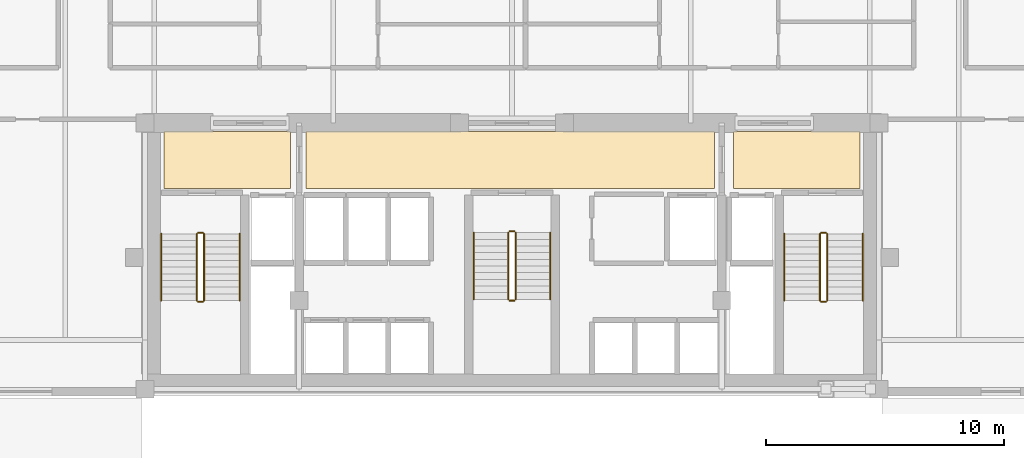
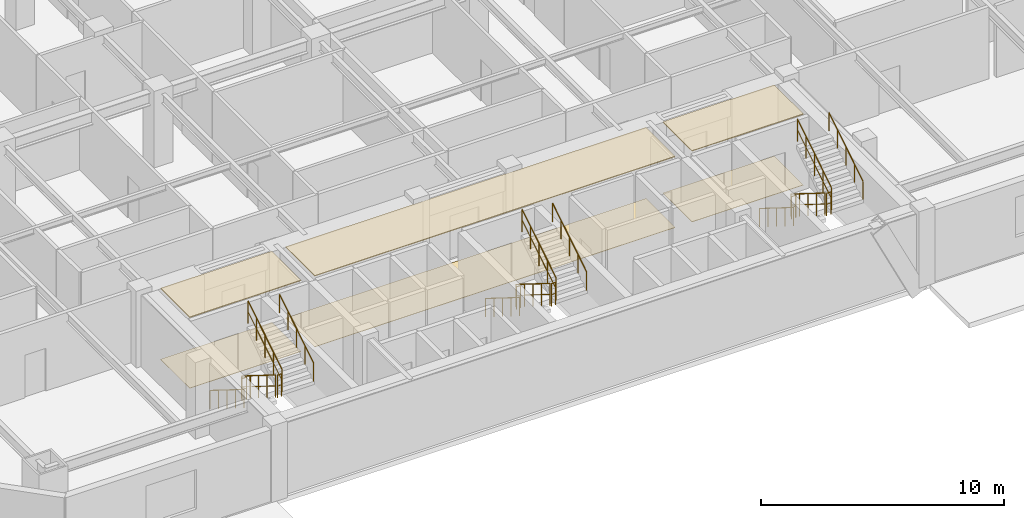
# One storey, part 11 of 11: 18 railings, 6 coverings.
"""IFC4 building model written with IfcOpenShell, lengths in metres."""

from ifc_helpers import new_model, si_unit, direction, frame, origin, origin_2d, place, context, subcontext, project, spatial, polyline, circle, outline, extrude, material, layer, layer_set, type_object, element, save


model = new_model("IFC4")

# Units and contexts
model_context = context("Model", 3, precision=1e-05, world=origin(), true_north=direction((0.0, 1.0)))
body_context = subcontext(model_context, "Body", "Model", "MODEL_VIEW")
ifc_project = project(units=[si_unit("LENGTHUNIT", "METRE"), si_unit("AREAUNIT", "SQUARE_METRE"), si_unit("VOLUMEUNIT", "CUBIC_METRE"), si_unit("PLANEANGLEUNIT", "RADIAN"), si_unit("MASSUNIT", "GRAM", prefix="KILO")], contexts=[model_context])

# Site, building, storey
site_placement = place(None, origin())
site = spatial("IfcSite", under=ifc_project, at=site_placement, CompositionType="ELEMENT")
building_placement = place(site_placement, origin())
building = spatial("IfcBuilding", under=site, at=building_placement, Name="Ventersveld Concourse Tower", CompositionType="ELEMENT")
storey_placement = place(building_placement, frame((0.0, 0.0, 29.800048828125)))
storey = spatial("IfcBuildingStorey", under=building, at=storey_placement, Name="L06", CompositionType="ELEMENT", Elevation=29.800048828125)

# Coverings
ifc_material_1 = material(Name="Mineral-fibre acoustic ceiling tile", Category="gypsum")
ifc_layer_1 = layer(ifc_material_1, 0.0400390625)
ifc_layer_set_1 = layer_set([ifc_layer_1], Name="Mineral-fibre acoustic ceiling tile")
covering_type_1 = type_object("IfcCoveringType", Name="COV-CEIL-ACOUSTIC", PredefinedType="CEILING", material=ifc_layer_set_1)
covering_1_placement = place(storey_placement, frame((0.0, 0.0, 3.56005859375)))
element("IfcCovering", 1, at=covering_1_placement, inside=storey, type_object=covering_type_1, Name="L06 North Lift Lobby Acoustic Ceiling", PredefinedType="CEILING", context=body_context, shape_type="SweptSolid", body=[
    extrude(outline(polyline([(20.10009765625, 8.699951171875), (37.25, 8.699951171875), (37.25, 11.10009765625), (20.10009765625, 11.10009765625), (20.10009765625, 8.699951171875)])), origin(), (0.0, 0.0, 1.0), 0.039794921875),
])
covering_2_placement = place(storey_placement, frame((0.0, 0.0, 3.56005859375)))
element("IfcCovering", 2, at=covering_2_placement, inside=storey, type_object=covering_type_1, Name="L06 West Firefighting Lobby Acoustic Ceiling", PredefinedType="CEILING", context=body_context, shape_type="SweptSolid", body=[
    extrude(outline(polyline([(14.14990234375, 8.699951171875), (19.449951171875, 8.699951171875), (19.449951171875, 11.10009765625), (14.14990234375, 11.10009765625), (14.14990234375, 8.699951171875)])), origin(), (0.0, 0.0, 1.0), 0.039794921875),
])
covering_3_placement = place(storey_placement, frame((0.0, 0.0, 3.56005859375)))
element("IfcCovering", 3, at=covering_3_placement, inside=storey, type_object=covering_type_1, Name="L06 East Firefighting Lobby Acoustic Ceiling", PredefinedType="CEILING", context=body_context, shape_type="SweptSolid", body=[
    extrude(outline(polyline([(38.050048828125, 8.699951171875), (43.35009765625, 8.699951171875), (43.35009765625, 11.10009765625), (38.050048828125, 11.10009765625), (38.050048828125, 8.699951171875)])), origin(), (0.0, 0.0, 1.0), 0.039794921875),
])
ifc_material_2 = material(Name="Polished Highveld granite terrazzo", Category="masonry")
ifc_layer_2 = layer(ifc_material_2, 0.02001953125)
ifc_layer_set_2 = layer_set([ifc_layer_2], Name="Polished Highveld granite terrazzo")
covering_type_2 = type_object("IfcCoveringType", Name="COV-FLOOR-TERRAZZO", PredefinedType="FLOORING", material=ifc_layer_set_2)
covering_4_placement = place(storey_placement, origin())
element("IfcCovering", 4, at=covering_4_placement, inside=storey, type_object=covering_type_2, Name="L06 North Lift Lobby Terrazzo Flooring", PredefinedType="FLOORING", context=body_context, shape_type="SweptSolid", body=[
    extrude(outline(polyline([(20.10009765625, 8.699951171875), (37.25, 8.699951171875), (37.25, 11.10009765625), (20.10009765625, 11.10009765625), (20.10009765625, 8.699951171875)])), origin(), (0.0, 0.0, 1.0), 0.02001953125),
])
covering_5_placement = place(storey_placement, origin())
element("IfcCovering", 5, at=covering_5_placement, inside=storey, type_object=covering_type_2, Name="L06 West Firefighting Lobby Terrazzo Flooring", PredefinedType="FLOORING", context=body_context, shape_type="SweptSolid", body=[
    extrude(outline(polyline([(14.14990234375, 8.699951171875), (19.449951171875, 8.699951171875), (19.449951171875, 11.10009765625), (14.14990234375, 11.10009765625), (14.14990234375, 8.699951171875)])), origin(), (0.0, 0.0, 1.0), 0.02001953125),
])
covering_6_placement = place(storey_placement, origin())
element("IfcCovering", 6, at=covering_6_placement, inside=storey, type_object=covering_type_2, Name="L06 East Firefighting Lobby Terrazzo Flooring", PredefinedType="FLOORING", context=body_context, shape_type="SweptSolid", body=[
    extrude(outline(polyline([(38.050048828125, 8.699951171875), (43.35009765625, 8.699951171875), (43.35009765625, 11.10009765625), (38.050048828125, 11.10009765625), (38.050048828125, 8.699951171875)])), origin(), (0.0, 0.0, 1.0), 0.02001953125),
])

# Railings
ifc_material_3 = material(Name="Brushed stainless steel 316", Category="steel")
railing_type_1 = type_object("IfcRailingType", Name="GD-BAL-115", PredefinedType="GUARDRAIL", material=ifc_material_3)
railing_1_placement = place(storey_placement, frame((15.530029296875, 6.800048828125, 0.175048828125)))
element("IfcRailing", 7, at=railing_1_placement, inside=storey, type_object=railing_type_1, Name="L06 ST-01 stair guard 1", PredefinedType="GUARDRAIL", context=body_context, shape_type="SweptSolid", body=[
    extrude(circle(Radius=0.02392578125, at=origin_2d()), frame((0.0, 0.0, 1.1259765625), z_axis=(0.0, -0.848002457836, 0.529992293815), x_axis=(1.0, 0.0, 0.0)), (0.0, 0.0, 1.0), 3.302001953125),
    extrude(circle(Radius=0.01611328125, at=origin_2d()), frame((0.0, 0.0, 0.574951171875), z_axis=(0.0, -0.848002457836, 0.529992293815), x_axis=(1.0, 0.0, 0.0)), (0.0, 0.0, 1.0), 3.302001953125),
    extrude(circle(Radius=0.02099609375, at=origin_2d()), origin(), (0.0, 0.0, 1.0), 1.101806640625),
    extrude(circle(Radius=0.02099609375, at=origin_2d()), frame((0.0, -0.699951171875, 0.4375)), (0.0, 0.0, 1.0), 1.101806640625),
    extrude(circle(Radius=0.02099609375, at=origin_2d()), frame((0.0, -1.39990234375, 0.875)), (0.0, 0.0, 1.0), 1.101806640625),
    extrude(circle(Radius=0.02099609375, at=origin_2d()), frame((0.0, -2.10009765625, 1.3125)), (0.0, 0.0, 1.0), 1.101806640625),
    extrude(circle(Radius=0.02099609375, at=origin_2d()), frame((0.0, -2.800048828125, 1.75)), (0.0, 0.0, 1.0), 1.101806640625),
])
railing_2_placement = place(storey_placement, frame((15.580078125, 3.949951171875, 1.925048828125)))
element("IfcRailing", 8, at=railing_2_placement, inside=storey, type_object=railing_type_1, Name="L06 ST-01 stair guard 2", PredefinedType="GUARDRAIL", context=body_context, shape_type="SweptSolid", body=[
    extrude(circle(Radius=0.02392578125, at=origin_2d()), frame((0.0, 0.0, 1.1259765625), z_axis=(1.0, 0.0, 0.0), x_axis=(0.0, 1.0, 0.0)), (0.0, 0.0, 1.0), 0.199951171875),
    extrude(circle(Radius=0.01611328125, at=origin_2d()), frame((0.0, 0.0, 0.574951171875), z_axis=(1.0, 0.0, 0.0), x_axis=(0.0, 1.0, 0.0)), (0.0, 0.0, 1.0), 0.199951171875),
    extrude(circle(Radius=0.02099609375, at=origin_2d()), origin(), (0.0, 0.0, 1.0), 1.101806640625),
    extrude(circle(Radius=0.02099609375, at=origin_2d()), frame((0.199951171875, 0.0, 0.0)), (0.0, 0.0, 1.0), 1.101806640625),
])
railing_3_placement = place(storey_placement, frame((15.830078125, 4.0, 2.099853515625)))
element("IfcRailing", 9, at=railing_3_placement, inside=storey, type_object=railing_type_1, Name="L06 ST-01 stair guard 3", PredefinedType="GUARDRAIL", context=body_context, shape_type="SweptSolid", body=[
    extrude(circle(Radius=0.02392578125, at=origin_2d()), frame((0.0, 0.0, 1.1259765625), z_axis=(0.0, 0.848002457836, 0.529992293815), x_axis=(-1.0, 0.0, 0.0)), (0.0, 0.0, 1.0), 3.302001953125),
    extrude(circle(Radius=0.01611328125, at=origin_2d()), frame((0.0, 0.0, 0.574951171875), z_axis=(0.0, 0.848002457836, 0.529992293815), x_axis=(-1.0, 0.0, 0.0)), (0.0, 0.0, 1.0), 3.302001953125),
    extrude(circle(Radius=0.02099609375, at=origin_2d()), origin(), (0.0, 0.0, 1.0), 1.101806640625),
    extrude(circle(Radius=0.02099609375, at=origin_2d()), frame((0.0, 0.699951171875, 0.4375)), (0.0, 0.0, 1.0), 1.101806640625),
    extrude(circle(Radius=0.02099609375, at=origin_2d()), frame((0.0, 1.39990234375, 0.875)), (0.0, 0.0, 1.0), 1.101806640625),
    extrude(circle(Radius=0.02099609375, at=origin_2d()), frame((0.0, 2.10009765625, 1.3125)), (0.0, 0.0, 1.0), 1.101806640625),
    extrude(circle(Radius=0.02099609375, at=origin_2d()), frame((0.0, 2.800048828125, 1.75)), (0.0, 0.0, 1.0), 1.101806640625),
])
railing_4_placement = place(storey_placement, frame((15.580078125, 6.85009765625, 0.0)))
element("IfcRailing", 10, at=railing_4_placement, inside=storey, type_object=railing_type_1, Name="L06 ST-01 stair guard 4", PredefinedType="GUARDRAIL", context=body_context, shape_type="SweptSolid", body=[
    extrude(circle(Radius=0.02392578125, at=origin_2d()), frame((0.0, 0.0, 1.1259765625), z_axis=(1.0, 0.0, 0.0), x_axis=(0.0, 1.0, 0.0)), (0.0, 0.0, 1.0), 0.199951171875),
    extrude(circle(Radius=0.01611328125, at=origin_2d()), frame((0.0, 0.0, 0.574951171875), z_axis=(1.0, 0.0, 0.0), x_axis=(0.0, 1.0, 0.0)), (0.0, 0.0, 1.0), 0.199951171875),
    extrude(circle(Radius=0.02099609375, at=origin_2d()), origin(), (0.0, 0.0, 1.0), 1.101806640625),
    extrude(circle(Radius=0.02099609375, at=origin_2d()), frame((0.199951171875, 0.0, 0.0)), (0.0, 0.0, 1.0), 1.101806640625),
])
railing_5_placement = place(storey_placement, frame((41.669921875, 6.800048828125, 0.175048828125)))
element("IfcRailing", 11, at=railing_5_placement, inside=storey, type_object=railing_type_1, Name="L06 ST-02 stair guard 1", PredefinedType="GUARDRAIL", context=body_context, shape_type="SweptSolid", body=[
    extrude(circle(Radius=0.02392578125, at=origin_2d()), frame((0.0, 0.0, 1.1259765625), z_axis=(0.0, -0.848002457836, 0.529992293815), x_axis=(1.0, 0.0, 0.0)), (0.0, 0.0, 1.0), 3.302001953125),
    extrude(circle(Radius=0.01611328125, at=origin_2d()), frame((0.0, 0.0, 0.574951171875), z_axis=(0.0, -0.848002457836, 0.529992293815), x_axis=(1.0, 0.0, 0.0)), (0.0, 0.0, 1.0), 3.302001953125),
    extrude(circle(Radius=0.02099609375, at=origin_2d()), origin(), (0.0, 0.0, 1.0), 1.101806640625),
    extrude(circle(Radius=0.02099609375, at=origin_2d()), frame((0.0, -0.699951171875, 0.4375)), (0.0, 0.0, 1.0), 1.101806640625),
    extrude(circle(Radius=0.02099609375, at=origin_2d()), frame((0.0, -1.39990234375, 0.875)), (0.0, 0.0, 1.0), 1.101806640625),
    extrude(circle(Radius=0.02099609375, at=origin_2d()), frame((0.0, -2.10009765625, 1.3125)), (0.0, 0.0, 1.0), 1.101806640625),
    extrude(circle(Radius=0.02099609375, at=origin_2d()), frame((0.0, -2.800048828125, 1.75)), (0.0, 0.0, 1.0), 1.101806640625),
])
railing_6_placement = place(storey_placement, frame((41.719970703125, 3.949951171875, 1.925048828125)))
element("IfcRailing", 12, at=railing_6_placement, inside=storey, type_object=railing_type_1, Name="L06 ST-02 stair guard 2", PredefinedType="GUARDRAIL", context=body_context, shape_type="SweptSolid", body=[
    extrude(circle(Radius=0.02392578125, at=origin_2d()), frame((0.0, 0.0, 1.1259765625), z_axis=(1.0, 0.0, 0.0), x_axis=(0.0, 1.0, 0.0)), (0.0, 0.0, 1.0), 0.199951171875),
    extrude(circle(Radius=0.01611328125, at=origin_2d()), frame((0.0, 0.0, 0.574951171875), z_axis=(1.0, 0.0, 0.0), x_axis=(0.0, 1.0, 0.0)), (0.0, 0.0, 1.0), 0.199951171875),
    extrude(circle(Radius=0.02099609375, at=origin_2d()), origin(), (0.0, 0.0, 1.0), 1.101806640625),
    extrude(circle(Radius=0.02099609375, at=origin_2d()), frame((0.199951171875, 0.0, 0.0)), (0.0, 0.0, 1.0), 1.101806640625),
])
railing_7_placement = place(storey_placement, frame((41.969970703125, 4.0, 2.099853515625)))
element("IfcRailing", 13, at=railing_7_placement, inside=storey, type_object=railing_type_1, Name="L06 ST-02 stair guard 3", PredefinedType="GUARDRAIL", context=body_context, shape_type="SweptSolid", body=[
    extrude(circle(Radius=0.02392578125, at=origin_2d()), frame((0.0, 0.0, 1.1259765625), z_axis=(0.0, 0.848002457836, 0.529992293815), x_axis=(-1.0, 0.0, 0.0)), (0.0, 0.0, 1.0), 3.302001953125),
    extrude(circle(Radius=0.01611328125, at=origin_2d()), frame((0.0, 0.0, 0.574951171875), z_axis=(0.0, 0.848002457836, 0.529992293815), x_axis=(-1.0, 0.0, 0.0)), (0.0, 0.0, 1.0), 3.302001953125),
    extrude(circle(Radius=0.02099609375, at=origin_2d()), origin(), (0.0, 0.0, 1.0), 1.101806640625),
    extrude(circle(Radius=0.02099609375, at=origin_2d()), frame((0.0, 0.699951171875, 0.4375)), (0.0, 0.0, 1.0), 1.101806640625),
    extrude(circle(Radius=0.02099609375, at=origin_2d()), frame((0.0, 1.39990234375, 0.875)), (0.0, 0.0, 1.0), 1.101806640625),
    extrude(circle(Radius=0.02099609375, at=origin_2d()), frame((0.0, 2.10009765625, 1.3125)), (0.0, 0.0, 1.0), 1.101806640625),
    extrude(circle(Radius=0.02099609375, at=origin_2d()), frame((0.0, 2.800048828125, 1.75)), (0.0, 0.0, 1.0), 1.101806640625),
])
railing_8_placement = place(storey_placement, frame((41.719970703125, 6.85009765625, 0.0)))
element("IfcRailing", 14, at=railing_8_placement, inside=storey, type_object=railing_type_1, Name="L06 ST-02 stair guard 4", PredefinedType="GUARDRAIL", context=body_context, shape_type="SweptSolid", body=[
    extrude(circle(Radius=0.02392578125, at=origin_2d()), frame((0.0, 0.0, 1.1259765625), z_axis=(1.0, 0.0, 0.0), x_axis=(0.0, 1.0, 0.0)), (0.0, 0.0, 1.0), 0.199951171875),
    extrude(circle(Radius=0.01611328125, at=origin_2d()), frame((0.0, 0.0, 0.574951171875), z_axis=(1.0, 0.0, 0.0), x_axis=(0.0, 1.0, 0.0)), (0.0, 0.0, 1.0), 0.199951171875),
    extrude(circle(Radius=0.02099609375, at=origin_2d()), origin(), (0.0, 0.0, 1.0), 1.101806640625),
    extrude(circle(Radius=0.02099609375, at=origin_2d()), frame((0.199951171875, 0.0, 0.0)), (0.0, 0.0, 1.0), 1.101806640625),
])
railing_9_placement = place(storey_placement, frame((28.60009765625, 6.85009765625, 0.175048828125)))
element("IfcRailing", 15, at=railing_9_placement, inside=storey, type_object=railing_type_1, Name="L06 ST-03 stair guard 1", PredefinedType="GUARDRAIL", context=body_context, shape_type="SweptSolid", body=[
    extrude(circle(Radius=0.02392578125, at=origin_2d()), frame((0.0, 0.0, 1.1259765625), z_axis=(0.0, -0.848002457836, 0.529992293815), x_axis=(1.0, 0.0, 0.0)), (0.0, 0.0, 1.0), 3.302001953125),
    extrude(circle(Radius=0.01611328125, at=origin_2d()), frame((0.0, 0.0, 0.574951171875), z_axis=(0.0, -0.848002457836, 0.529992293815), x_axis=(1.0, 0.0, 0.0)), (0.0, 0.0, 1.0), 3.302001953125),
    extrude(circle(Radius=0.02099609375, at=origin_2d()), origin(), (0.0, 0.0, 1.0), 1.101806640625),
    extrude(circle(Radius=0.02099609375, at=origin_2d()), frame((0.0, -0.699951171875, 0.4375)), (0.0, 0.0, 1.0), 1.101806640625),
    extrude(circle(Radius=0.02099609375, at=origin_2d()), frame((0.0, -1.39990234375, 0.875)), (0.0, 0.0, 1.0), 1.101806640625),
    extrude(circle(Radius=0.02099609375, at=origin_2d()), frame((0.0, -2.10009765625, 1.3125)), (0.0, 0.0, 1.0), 1.101806640625),
    extrude(circle(Radius=0.02099609375, at=origin_2d()), frame((0.0, -2.800048828125, 1.75)), (0.0, 0.0, 1.0), 1.101806640625),
])
railing_10_placement = place(storey_placement, frame((28.64990234375, 4.0, 1.925048828125)))
element("IfcRailing", 16, at=railing_10_placement, inside=storey, type_object=railing_type_1, Name="L06 ST-03 stair guard 2", PredefinedType="GUARDRAIL", context=body_context, shape_type="SweptSolid", body=[
    extrude(circle(Radius=0.02392578125, at=origin_2d()), frame((0.0, 0.0, 1.1259765625), z_axis=(1.0, 0.0, 0.0), x_axis=(0.0, 1.0, 0.0)), (0.0, 0.0, 1.0), 0.2001953125),
    extrude(circle(Radius=0.01611328125, at=origin_2d()), frame((0.0, 0.0, 0.574951171875), z_axis=(1.0, 0.0, 0.0), x_axis=(0.0, 1.0, 0.0)), (0.0, 0.0, 1.0), 0.2001953125),
    extrude(circle(Radius=0.02099609375, at=origin_2d()), origin(), (0.0, 0.0, 1.0), 1.101806640625),
    extrude(circle(Radius=0.02099609375, at=origin_2d()), frame((0.2001953125, 0.0, 0.0)), (0.0, 0.0, 1.0), 1.101806640625),
])
railing_11_placement = place(storey_placement, frame((28.89990234375, 4.050048828125, 2.099853515625)))
element("IfcRailing", 17, at=railing_11_placement, inside=storey, type_object=railing_type_1, Name="L06 ST-03 stair guard 3", PredefinedType="GUARDRAIL", context=body_context, shape_type="SweptSolid", body=[
    extrude(circle(Radius=0.02392578125, at=origin_2d()), frame((0.0, 0.0, 1.1259765625), z_axis=(0.0, 0.848002457836, 0.529992293815), x_axis=(-1.0, 0.0, 0.0)), (0.0, 0.0, 1.0), 3.302001953125),
    extrude(circle(Radius=0.01611328125, at=origin_2d()), frame((0.0, 0.0, 0.574951171875), z_axis=(0.0, 0.848002457836, 0.529992293815), x_axis=(-1.0, 0.0, 0.0)), (0.0, 0.0, 1.0), 3.302001953125),
    extrude(circle(Radius=0.02099609375, at=origin_2d()), origin(), (0.0, 0.0, 1.0), 1.101806640625),
    extrude(circle(Radius=0.02099609375, at=origin_2d()), frame((0.0, 0.699951171875, 0.4375)), (0.0, 0.0, 1.0), 1.101806640625),
    extrude(circle(Radius=0.02099609375, at=origin_2d()), frame((0.0, 1.39990234375, 0.875)), (0.0, 0.0, 1.0), 1.101806640625),
    extrude(circle(Radius=0.02099609375, at=origin_2d()), frame((0.0, 2.10009765625, 1.3125)), (0.0, 0.0, 1.0), 1.101806640625),
    extrude(circle(Radius=0.02099609375, at=origin_2d()), frame((0.0, 2.800048828125, 1.75)), (0.0, 0.0, 1.0), 1.101806640625),
])
railing_12_placement = place(storey_placement, frame((28.64990234375, 6.89990234375, 0.0)))
element("IfcRailing", 18, at=railing_12_placement, inside=storey, type_object=railing_type_1, Name="L06 ST-03 stair guard 4", PredefinedType="GUARDRAIL", context=body_context, shape_type="SweptSolid", body=[
    extrude(circle(Radius=0.02392578125, at=origin_2d()), frame((0.0, 0.0, 1.1259765625), z_axis=(1.0, 0.0, 0.0), x_axis=(0.0, 1.0, 0.0)), (0.0, 0.0, 1.0), 0.2001953125),
    extrude(circle(Radius=0.01611328125, at=origin_2d()), frame((0.0, 0.0, 0.574951171875), z_axis=(1.0, 0.0, 0.0), x_axis=(0.0, 1.0, 0.0)), (0.0, 0.0, 1.0), 0.2001953125),
    extrude(circle(Radius=0.02099609375, at=origin_2d()), origin(), (0.0, 0.0, 1.0), 1.101806640625),
    extrude(circle(Radius=0.02099609375, at=origin_2d()), frame((0.2001953125, 0.0, 0.0)), (0.0, 0.0, 1.0), 1.101806640625),
])
railing_type_2 = type_object("IfcRailingType", Name="HR-RMP-095", PredefinedType="HANDRAIL", material=ifc_material_3)
railing_13_placement = place(storey_placement, frame((14.030029296875, 6.800048828125, 0.175048828125)))
element("IfcRailing", 19, at=railing_13_placement, inside=storey, type_object=railing_type_2, Name="L06 ST-01 stair handrail 1", PredefinedType="HANDRAIL", context=body_context, shape_type="SweptSolid", body=[
    extrude(circle(Radius=0.02392578125, at=origin_2d()), frame((0.0, 0.0, 0.92578125), z_axis=(0.0, -0.848002457836, 0.529992293815), x_axis=(1.0, 0.0, 0.0)), (0.0, 0.0, 1.0), 3.302001953125),
    extrude(circle(Radius=0.02099609375, at=origin_2d()), origin(), (0.0, 0.0, 1.0), 0.90185546875),
    extrude(circle(Radius=0.02099609375, at=origin_2d()), frame((0.0, -0.699951171875, 0.4375)), (0.0, 0.0, 1.0), 0.90185546875),
    extrude(circle(Radius=0.02099609375, at=origin_2d()), frame((0.0, -1.39990234375, 0.875)), (0.0, 0.0, 1.0), 0.90185546875),
    extrude(circle(Radius=0.02099609375, at=origin_2d()), frame((0.0, -2.10009765625, 1.3125)), (0.0, 0.0, 1.0), 0.90185546875),
    extrude(circle(Radius=0.02099609375, at=origin_2d()), frame((0.0, -2.800048828125, 1.75)), (0.0, 0.0, 1.0), 0.90185546875),
])
railing_14_placement = place(storey_placement, frame((17.330078125, 4.0, 2.099853515625)))
element("IfcRailing", 20, at=railing_14_placement, inside=storey, type_object=railing_type_2, Name="L06 ST-01 stair handrail 2", PredefinedType="HANDRAIL", context=body_context, shape_type="SweptSolid", body=[
    extrude(circle(Radius=0.02392578125, at=origin_2d()), frame((0.0, 0.0, 0.92578125), z_axis=(0.0, 0.848002457836, 0.529992293815), x_axis=(-1.0, 0.0, 0.0)), (0.0, 0.0, 1.0), 3.302001953125),
    extrude(circle(Radius=0.02099609375, at=origin_2d()), origin(), (0.0, 0.0, 1.0), 0.90185546875),
    extrude(circle(Radius=0.02099609375, at=origin_2d()), frame((0.0, 0.699951171875, 0.4375)), (0.0, 0.0, 1.0), 0.90185546875),
    extrude(circle(Radius=0.02099609375, at=origin_2d()), frame((0.0, 1.39990234375, 0.875)), (0.0, 0.0, 1.0), 0.90185546875),
    extrude(circle(Radius=0.02099609375, at=origin_2d()), frame((0.0, 2.10009765625, 1.3125)), (0.0, 0.0, 1.0), 0.90185546875),
    extrude(circle(Radius=0.02099609375, at=origin_2d()), frame((0.0, 2.800048828125, 1.75)), (0.0, 0.0, 1.0), 0.90185546875),
])
railing_15_placement = place(storey_placement, frame((40.169921875, 6.800048828125, 0.175048828125)))
element("IfcRailing", 21, at=railing_15_placement, inside=storey, type_object=railing_type_2, Name="L06 ST-02 stair handrail 1", PredefinedType="HANDRAIL", context=body_context, shape_type="SweptSolid", body=[
    extrude(circle(Radius=0.02392578125, at=origin_2d()), frame((0.0, 0.0, 0.92578125), z_axis=(0.0, -0.848002457836, 0.529992293815), x_axis=(1.0, 0.0, 0.0)), (0.0, 0.0, 1.0), 3.302001953125),
    extrude(circle(Radius=0.02099609375, at=origin_2d()), origin(), (0.0, 0.0, 1.0), 0.90185546875),
    extrude(circle(Radius=0.02099609375, at=origin_2d()), frame((0.0, -0.699951171875, 0.4375)), (0.0, 0.0, 1.0), 0.90185546875),
    extrude(circle(Radius=0.02099609375, at=origin_2d()), frame((0.0, -1.39990234375, 0.875)), (0.0, 0.0, 1.0), 0.90185546875),
    extrude(circle(Radius=0.02099609375, at=origin_2d()), frame((0.0, -2.10009765625, 1.3125)), (0.0, 0.0, 1.0), 0.90185546875),
    extrude(circle(Radius=0.02099609375, at=origin_2d()), frame((0.0, -2.800048828125, 1.75)), (0.0, 0.0, 1.0), 0.90185546875),
])
railing_16_placement = place(storey_placement, frame((43.469970703125, 4.0, 2.099853515625)))
element("IfcRailing", 22, at=railing_16_placement, inside=storey, type_object=railing_type_2, Name="L06 ST-02 stair handrail 2", PredefinedType="HANDRAIL", context=body_context, shape_type="SweptSolid", body=[
    extrude(circle(Radius=0.02392578125, at=origin_2d()), frame((0.0, 0.0, 0.92578125), z_axis=(0.0, 0.848002457836, 0.529992293815), x_axis=(-1.0, 0.0, 0.0)), (0.0, 0.0, 1.0), 3.302001953125),
    extrude(circle(Radius=0.02099609375, at=origin_2d()), origin(), (0.0, 0.0, 1.0), 0.90185546875),
    extrude(circle(Radius=0.02099609375, at=origin_2d()), frame((0.0, 0.699951171875, 0.4375)), (0.0, 0.0, 1.0), 0.90185546875),
    extrude(circle(Radius=0.02099609375, at=origin_2d()), frame((0.0, 1.39990234375, 0.875)), (0.0, 0.0, 1.0), 0.90185546875),
    extrude(circle(Radius=0.02099609375, at=origin_2d()), frame((0.0, 2.10009765625, 1.3125)), (0.0, 0.0, 1.0), 0.90185546875),
    extrude(circle(Radius=0.02099609375, at=origin_2d()), frame((0.0, 2.800048828125, 1.75)), (0.0, 0.0, 1.0), 0.90185546875),
])
railing_17_placement = place(storey_placement, frame((27.14990234375, 6.85009765625, 0.175048828125)))
element("IfcRailing", 23, at=railing_17_placement, inside=storey, type_object=railing_type_2, Name="L06 ST-03 stair handrail 1", PredefinedType="HANDRAIL", context=body_context, shape_type="SweptSolid", body=[
    extrude(circle(Radius=0.02392578125, at=origin_2d()), frame((0.0, 0.0, 0.92578125), z_axis=(0.0, -0.848002457836, 0.529992293815), x_axis=(1.0, 0.0, 0.0)), (0.0, 0.0, 1.0), 3.302001953125),
    extrude(circle(Radius=0.02099609375, at=origin_2d()), origin(), (0.0, 0.0, 1.0), 0.90185546875),
    extrude(circle(Radius=0.02099609375, at=origin_2d()), frame((0.0, -0.699951171875, 0.4375)), (0.0, 0.0, 1.0), 0.90185546875),
    extrude(circle(Radius=0.02099609375, at=origin_2d()), frame((0.0, -1.39990234375, 0.875)), (0.0, 0.0, 1.0), 0.90185546875),
    extrude(circle(Radius=0.02099609375, at=origin_2d()), frame((0.0, -2.10009765625, 1.3125)), (0.0, 0.0, 1.0), 0.90185546875),
    extrude(circle(Radius=0.02099609375, at=origin_2d()), frame((0.0, -2.800048828125, 1.75)), (0.0, 0.0, 1.0), 0.90185546875),
])
railing_18_placement = place(storey_placement, frame((30.35009765625, 4.050048828125, 2.099853515625)))
element("IfcRailing", 24, at=railing_18_placement, inside=storey, type_object=railing_type_2, Name="L06 ST-03 stair handrail 2", PredefinedType="HANDRAIL", context=body_context, shape_type="SweptSolid", body=[
    extrude(circle(Radius=0.02392578125, at=origin_2d()), frame((0.0, 0.0, 0.92578125), z_axis=(0.0, 0.848002457836, 0.529992293815), x_axis=(-1.0, 0.0, 0.0)), (0.0, 0.0, 1.0), 3.302001953125),
    extrude(circle(Radius=0.02099609375, at=origin_2d()), origin(), (0.0, 0.0, 1.0), 0.90185546875),
    extrude(circle(Radius=0.02099609375, at=origin_2d()), frame((0.0, 0.699951171875, 0.4375)), (0.0, 0.0, 1.0), 0.90185546875),
    extrude(circle(Radius=0.02099609375, at=origin_2d()), frame((0.0, 1.39990234375, 0.875)), (0.0, 0.0, 1.0), 0.90185546875),
    extrude(circle(Radius=0.02099609375, at=origin_2d()), frame((0.0, 2.10009765625, 1.3125)), (0.0, 0.0, 1.0), 0.90185546875),
    extrude(circle(Radius=0.02099609375, at=origin_2d()), frame((0.0, 2.800048828125, 1.75)), (0.0, 0.0, 1.0), 0.90185546875),
])

save(model, "model.ifc")
